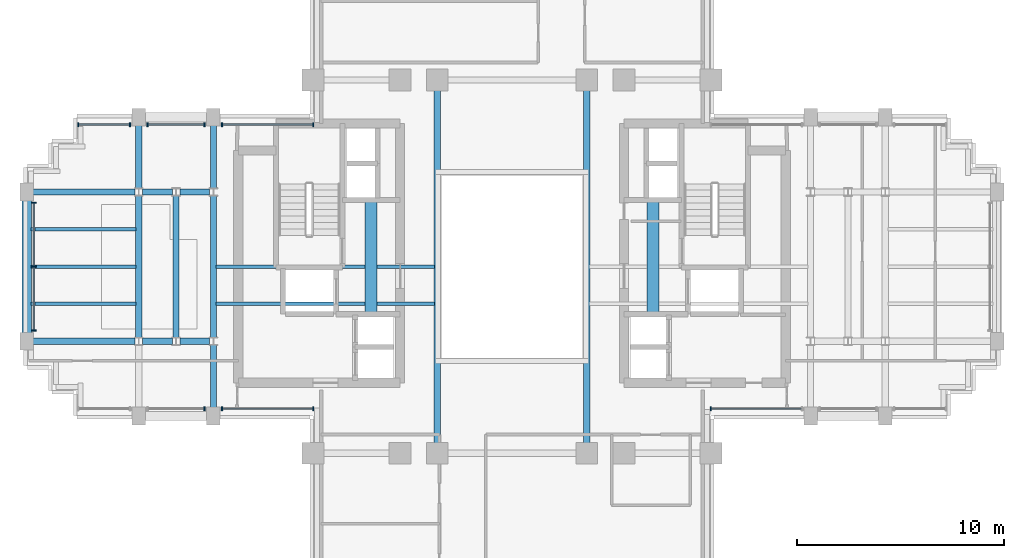
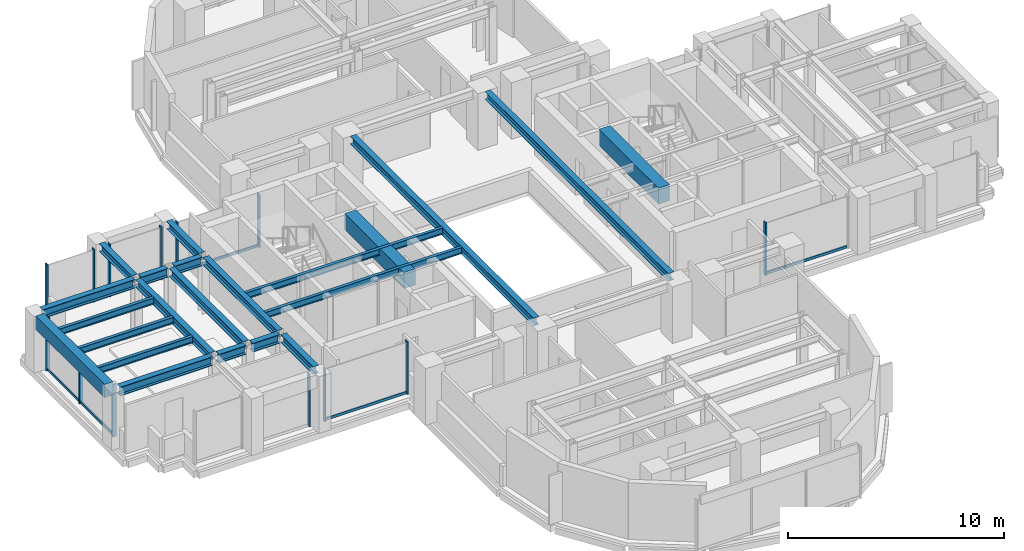
# One storey, part 4 of 13: 22 beams, 20 members, 7 elements without a shape of their own.
"""IFC4 building model written with IfcOpenShell, lengths in metres."""

from ifc_helpers import new_model, si_unit, direction, frame, origin, origin_2d, place, context, subcontext, project, spatial, rectangle, i_section, extrude, source, transform, mapped, material, material_profile, profile_set, type_object, element, aggregate, save


model = new_model("IFC4")

# Units and contexts
model_context = context("Model", 3, precision=1e-05, world=origin(), true_north=direction((0.0, 1.0)))
body_context = subcontext(model_context, "Body", "Model", "MODEL_VIEW")
ifc_project = project(units=[si_unit("LENGTHUNIT", "METRE"), si_unit("AREAUNIT", "SQUARE_METRE"), si_unit("VOLUMEUNIT", "CUBIC_METRE"), si_unit("PLANEANGLEUNIT", "RADIAN"), si_unit("MASSUNIT", "GRAM", prefix="KILO")], contexts=[model_context])

# Site, building, storey
site_placement = place(None, origin())
site = spatial("IfcSite", under=ifc_project, at=site_placement, CompositionType="ELEMENT")
building_placement = place(site_placement, origin())
building = spatial("IfcBuilding", under=site, at=building_placement, Name="Keilestroom Media Tower", CompositionType="ELEMENT")
storey_placement = place(building_placement, frame((0.0, 0.0, 131.199951171875)))
storey = spatial("IfcBuildingStorey", under=building, at=storey_placement, Name="L35", CompositionType="ELEMENT", Elevation=131.199951171875)

# Beams
ifc_material_1 = material(Name="Concrete C70/85", Category="concrete")
ifc_material_profile_1 = material_profile(ifc_material_1, rectangle(XDim=0.60009765625, YDim=0.89990234375, at=origin_2d()), Name="RC 600x900")
ifc_profile_set_1 = profile_set([ifc_material_profile_1], Name="Concrete C70/85")
beam_type_1 = type_object("IfcBeamType", Name="Core-Coupling-Lintel-Beam-RC-600x900", PredefinedType="LINTEL", material=ifc_profile_set_1)
shared_shape_1 = source(origin(), body_context, "Body", "SweptSolid", [
    extrude(rectangle(XDim=0.60009765625, YDim=0.89990234375, at=origin_2d()), origin(), (0.0, 0.0, 1.0), 5.52001953125),
])
for number, where, z_axis, x_axis, name in (
    (1, (-6.800048828125, -2.300048828125, 2.75), (0.0, 1.0, 0.0), (-1.0, 0.0, 0.0), "L35 Beam CLB-1 CLB-L35-W"),
    (2, (6.800048828125, -2.300048828125, 2.75), (0.0, 1.0, 0.0), (-1.0, 0.0, 0.0), "L35 Beam CLB-1 CLB-L35-E"),
):
    element("IfcBeam", number, at=place(storey_placement, frame(where, z_axis=z_axis, x_axis=x_axis)), inside=storey, type_object=beam_type_1, Name=name, PredefinedType="LINTEL", context=body_context, shape_type="MappedRepresentation", body=[
        mapped(shared_shape_1, transform((0.0, 0.0, 0.0), x_axis=(1.0, 0.0, 0.0), y_axis=(0.0, 1.0, 0.0), z_axis=(0.0, 0.0, 1.0), scale=1.0)),
    ])
ifc_material_2 = material(Name="Steel S355", Category="steel")
ifc_material_profile_2 = material_profile(ifc_material_2, i_section(OverallWidth=0.169921875, OverallDepth=0.360107421875, WebThickness=0.008056640625, FlangeThickness=0.0126953125, at=origin_2d()), Name="IPE 360")
ifc_profile_set_2 = profile_set([ifc_material_profile_2], Name="Steel S355")
beam_type_2 = type_object("IfcBeamType", Name="Secondary-Floor-Joist-IPE-360", PredefinedType="JOIST", material=ifc_profile_set_2)
shared_shape_2 = source(origin(), body_context, "Body", "SweptSolid", [
    extrude(i_section(OverallWidth=0.169921875, OverallDepth=0.360107421875, WebThickness=0.008056640625, FlangeThickness=0.0126953125, at=origin_2d()), origin(), (0.0, 0.0, 1.0), 10.5400390625),
])
for number, where, z_axis, x_axis, name in (
    (3, (-14.27001953125, -1.800048828125, 3.02001953125), (1.0, 0.0, 0.0), (0.0, 1.0, 0.0), "L35 Beam BJ-5 JST-L35-072"),
    (4, (-14.27001953125, 0.0, 3.02001953125), (1.0, 0.0, 0.0), (0.0, 1.0, 0.0), "L35 Beam BJ-5 JST-L35-077"),
):
    element("IfcBeam", number, at=place(storey_placement, frame(where, z_axis=z_axis, x_axis=x_axis)), inside=storey, type_object=beam_type_2, Name=name, PredefinedType="JOIST", context=body_context, shape_type="MappedRepresentation", body=[
        mapped(shared_shape_2, transform((0.0, 0.0, 0.0), x_axis=(1.0, 0.0, 0.0), y_axis=(0.0, 1.0, 0.0), z_axis=(0.0, 0.0, 1.0), scale=1.0)),
    ])
ifc_material_profile_3 = material_profile(ifc_material_2, i_section(OverallWidth=0.300048828125, OverallDepth=0.5, WebThickness=0.012451171875, FlangeThickness=0.028076171875, at=origin_2d()), Name="HEB 500")
ifc_profile_set_3 = profile_set([ifc_material_profile_3], Name="Steel S355")
beam_type_3 = type_object("IfcBeamType", Name="Primary-Structural-Girder-HEB-500", PredefinedType="BEAM", material=ifc_profile_set_3)
shared_shape_3 = source(origin(), body_context, "Body", "SweptSolid", [
    extrude(i_section(OverallWidth=0.300048828125, OverallDepth=0.5, WebThickness=0.012451171875, FlangeThickness=0.028076171875, at=origin_2d()), origin(), (0.0, 0.0, 1.0), 4.91455078125),
])
for number, where, z_axis, x_axis, name in (
    (5, (-23.094970703125, -3.60009765625, 2.949951171875), (1.0, 0.0, 0.0), (0.0, 1.0, 0.0), "L35 Beam BG-6 BM-L35-EW-014"),
    (6, (-23.094970703125, 3.60009765625, 2.949951171875), (1.0, 0.0, 0.0), (0.0, 1.0, 0.0), "L35 Beam BG-6 BM-L35-EW-020"),
):
    element("IfcBeam", number, at=place(storey_placement, frame(where, z_axis=z_axis, x_axis=x_axis)), inside=storey, type_object=beam_type_3, Name=name, PredefinedType="BEAM", context=body_context, shape_type="MappedRepresentation", body=[
        mapped(shared_shape_3, transform((0.0, 0.0, 0.0), x_axis=(1.0, 0.0, 0.0), y_axis=(0.0, 1.0, 0.0), z_axis=(0.0, 0.0, 1.0), scale=1.0)),
    ])
shared_shape_4 = source(origin(), body_context, "Body", "SweptSolid", [
    extrude(i_section(OverallWidth=0.300048828125, OverallDepth=0.5, WebThickness=0.012451171875, FlangeThickness=0.028076171875, at=origin_2d()), origin(), (0.0, 0.0, 1.0), 1.43896484375),
])
for number, where, z_axis, x_axis, name in (
    (7, (-17.819580078125, -3.60009765625, 2.949951171875), (1.0, 0.0, 0.0), (0.0, 1.0, 0.0), "L35 Beam BG-6 BM-L35-EW-015"),
    (8, (-16.01953125, -3.60009765625, 2.949951171875), (1.0, 0.0, 0.0), (0.0, 1.0, 0.0), "L35 Beam BG-6 BM-L35-EW-016"),
    (9, (-17.819580078125, 3.60009765625, 2.949951171875), (1.0, 0.0, 0.0), (0.0, 1.0, 0.0), "L35 Beam BG-6 BM-L35-EW-021"),
    (10, (-16.01953125, 3.60009765625, 2.949951171875), (1.0, 0.0, 0.0), (0.0, 1.0, 0.0), "L35 Beam BG-6 BM-L35-EW-022"),
):
    element("IfcBeam", number, at=place(storey_placement, frame(where, z_axis=z_axis, x_axis=x_axis)), inside=storey, type_object=beam_type_3, Name=name, PredefinedType="BEAM", context=body_context, shape_type="MappedRepresentation", body=[
        mapped(shared_shape_4, transform((0.0, 0.0, 0.0), x_axis=(1.0, 0.0, 0.0), y_axis=(0.0, 1.0, 0.0), z_axis=(0.0, 0.0, 1.0), scale=1.0)),
    ])
ifc_material_3 = material(Name="Precast concrete C40/50", Category="concrete")
ifc_material_profile_4 = material_profile(ifc_material_3, rectangle(XDim=0.449951171875, YDim=0.75, at=origin_2d()), Name="PC 450x750")
ifc_profile_set_4 = profile_set([ifc_material_profile_4], Name="Precast concrete C40/50")
beam_type_4 = type_object("IfcBeamType", Name="Perimeter-Spandrel-Beam-PC-450x750", PredefinedType="SPANDREL", material=ifc_profile_set_4)
shared_shape_5 = source(origin(), body_context, "Body", "SweptSolid", [
    extrude(rectangle(XDim=0.449951171875, YDim=0.75, at=origin_2d()), origin(), (0.0, 0.0, 1.0), 6.39013671875),
])
beam_placement = place(storey_placement, frame((-23.39990234375, -3.195068359375, 2.824951171875), z_axis=(0.0, 1.0, 0.0), x_axis=(-1.0, 0.0, 0.0)))
element("IfcBeam", 11, at=beam_placement, inside=storey, type_object=beam_type_4, Name="L35 Beam SPB-1 BM-L35-NS-039", PredefinedType="SPANDREL", context=body_context, shape_type="MappedRepresentation", body=[
    mapped(shared_shape_5, transform((0.0, 0.0, 0.0), x_axis=(1.0, 0.0, 0.0), y_axis=(0.0, 1.0, 0.0), z_axis=(0.0, 0.0, 1.0), scale=1.0)),
])
shared_shape_6 = source(origin(), body_context, "Body", "SweptSolid", [
    extrude(i_section(OverallWidth=0.169921875, OverallDepth=0.360107421875, WebThickness=0.008056640625, FlangeThickness=0.0126953125, at=origin_2d()), origin(), (0.0, 0.0, 1.0), 5.065185546875),
])
for number, where, z_axis, x_axis, name in (
    (12, (-23.195068359375, -1.800048828125, 3.02001953125), (1.0, 0.0, 0.0), (0.0, 1.0, 0.0), "L35 Beam BJ-5 JST-L35-071"),
    (13, (-23.195068359375, 0.0, 3.02001953125), (1.0, 0.0, 0.0), (0.0, 1.0, 0.0), "L35 Beam BJ-5 JST-L35-076"),
    (14, (-23.195068359375, 1.800048828125, 3.02001953125), (1.0, 0.0, 0.0), (0.0, 1.0, 0.0), "L35 Beam BJ-5 JST-L35-081"),
):
    element("IfcBeam", number, at=place(storey_placement, frame(where, z_axis=z_axis, x_axis=x_axis)), inside=storey, type_object=beam_type_2, Name=name, PredefinedType="JOIST", context=body_context, shape_type="MappedRepresentation", body=[
        mapped(shared_shape_6, transform((0.0, 0.0, 0.0), x_axis=(1.0, 0.0, 0.0), y_axis=(0.0, 1.0, 0.0), z_axis=(0.0, 0.0, 1.0), scale=1.0)),
    ])
ifc_material_profile_5 = material_profile(ifc_material_2, i_section(OverallWidth=0.300048828125, OverallDepth=0.43994140625, WebThickness=0.011474609375, FlangeThickness=0.02099609375, at=origin_2d()), Name="HEA 450")
ifc_profile_set_5 = profile_set([ifc_material_profile_5], Name="Steel S355")
beam_type_5 = type_object("IfcBeamType", Name="Primary-Structural-Girder-HEA-450", PredefinedType="BEAM", material=ifc_profile_set_5)
shared_shape_7 = source(origin(), body_context, "Body", "SweptSolid", [
    extrude(i_section(OverallWidth=0.300048828125, OverallDepth=0.43994140625, WebThickness=0.011474609375, FlangeThickness=0.02099609375, at=origin_2d()), origin(), (0.0, 0.0, 1.0), 3.015380859375),
])
for number, where, z_axis, x_axis, name in (
    (15, (-18.0, 3.779541015625, 2.97998046875), (0.0, 1.0, 0.0), (-1.0, 0.0, 0.0), "L35 Beam BG-11 BM-L35-NS-042"),
    (16, (-14.39990234375, -6.794921875, 2.97998046875), (0.0, 1.0, 0.0), (-1.0, 0.0, 0.0), "L35 Beam BG-11 BM-L35-NS-044"),
    (17, (-14.39990234375, 3.779541015625, 2.97998046875), (0.0, 1.0, 0.0), (-1.0, 0.0, 0.0), "L35 Beam BG-11 BM-L35-NS-046"),
):
    element("IfcBeam", number, at=place(storey_placement, frame(where, z_axis=z_axis, x_axis=x_axis)), inside=storey, type_object=beam_type_5, Name=name, PredefinedType="BEAM", context=body_context, shape_type="MappedRepresentation", body=[
        mapped(shared_shape_7, transform((0.0, 0.0, 0.0), x_axis=(1.0, 0.0, 0.0), y_axis=(0.0, 1.0, 0.0), z_axis=(0.0, 0.0, 1.0), scale=1.0)),
    ])
shared_shape_8 = source(origin(), body_context, "Body", "SweptSolid", [
    extrude(i_section(OverallWidth=0.300048828125, OverallDepth=0.43994140625, WebThickness=0.011474609375, FlangeThickness=0.02099609375, at=origin_2d()), origin(), (0.0, 0.0, 1.0), 6.8408203125),
])
for number, where, z_axis, x_axis, name in (
    (18, (-18.0, -3.42041015625, 2.97998046875), (0.0, 1.0, 0.0), (-1.0, 0.0, 0.0), "L35 Beam BG-11 BM-L35-NS-041"),
    (19, (-16.199951171875, -3.42041015625, 2.97998046875), (0.0, 1.0, 0.0), (-1.0, 0.0, 0.0), "L35 Beam BG-11 BM-L35-NS-043"),
    (20, (-14.39990234375, -3.42041015625, 2.97998046875), (0.0, 1.0, 0.0), (-1.0, 0.0, 0.0), "L35 Beam BG-11 BM-L35-NS-045"),
):
    element("IfcBeam", number, at=place(storey_placement, frame(where, z_axis=z_axis, x_axis=x_axis)), inside=storey, type_object=beam_type_5, Name=name, PredefinedType="BEAM", context=body_context, shape_type="MappedRepresentation", body=[
        mapped(shared_shape_8, transform((0.0, 0.0, 0.0), x_axis=(1.0, 0.0, 0.0), y_axis=(0.0, 1.0, 0.0), z_axis=(0.0, 0.0, 1.0), scale=1.0)),
    ])
shared_shape_9 = source(origin(), body_context, "Body", "SweptSolid", [
    extrude(i_section(OverallWidth=0.300048828125, OverallDepth=0.43994140625, WebThickness=0.011474609375, FlangeThickness=0.02099609375, at=origin_2d()), origin(), (0.0, 0.0, 1.0), 16.990234375),
])
for number, where, z_axis, x_axis, name in (
    (21, (-3.60009765625, -8.4951171875, 2.97998046875), (0.0, 1.0, 0.0), (-1.0, 0.0, 0.0), "L35 Beam BG-11 BM-L35-NS-051"),
    (22, (3.60009765625, -8.4951171875, 2.97998046875), (0.0, 1.0, 0.0), (-1.0, 0.0, 0.0), "L35 Beam BG-11 BM-L35-NS-056"),
):
    element("IfcBeam", number, at=place(storey_placement, frame(where, z_axis=z_axis, x_axis=x_axis)), inside=storey, type_object=beam_type_5, Name=name, PredefinedType="BEAM", context=body_context, shape_type="MappedRepresentation", body=[
        mapped(shared_shape_9, transform((0.0, 0.0, 0.0), x_axis=(1.0, 0.0, 0.0), y_axis=(0.0, 1.0, 0.0), z_axis=(0.0, 0.0, 1.0), scale=1.0)),
    ])

# Curtain wall, members
ifc_material_4 = material(Name="Anodised Aluminium Alloy", Category="aluminium")
curtain_wall_type = type_object("IfcCurtainWallType", Name="Unitised-Curtain-Wall-CW-2", PredefinedType="NOTDEFINED", material=ifc_material_4)
curtain_wall_1_placement = place(storey_placement, origin())
curtain_wall_1 = element("IfcCurtainWall", 23, at=curtain_wall_1_placement, inside=storey, type_object=curtain_wall_type, Name="L35 Curtain Wall CW-2 CW-L35-W-1", PredefinedType="NOTDEFINED")
ifc_material_profile_6 = material_profile(ifc_material_4, rectangle(XDim=0.070068359375, YDim=0.199951171875, at=origin_2d()), Name="ALU MULLION 70x200")
ifc_profile_set_6 = profile_set([ifc_material_profile_6], Name="Anodised Aluminium Alloy")
member_type_1 = type_object("IfcMemberType", Name="Curtain-Wall-Mullion-CW-2", PredefinedType="MULLION", material=ifc_profile_set_6)
shared_shape_10 = source(origin(), body_context, "Body", "SweptSolid", [
    extrude(rectangle(XDim=0.070068359375, YDim=0.199951171875, at=origin_2d()), origin(), (0.0, 0.0, 1.0), 2.97998046875),
])
member_1_placement = place(storey_placement, frame((-23.050048828125, -3.080078125, 0.0), z_axis=(0.0, 0.0, 1.0), x_axis=(0.0, 1.0, 0.0)))
member_1 = element("IfcMember", 24, at=member_1_placement, type_object=member_type_1, Name="CW-2 Mullion 00", PredefinedType="MULLION", context=body_context, shape_type="MappedRepresentation", body=[
    mapped(shared_shape_10, transform((0.0, 0.0, 0.0), x_axis=(1.0, 0.0, 0.0), y_axis=(0.0, 1.0, 0.0), z_axis=(0.0, 0.0, 1.0), scale=1.0)),
])
member_2_placement = place(storey_placement, frame((-23.050048828125, 0.0, 0.0), z_axis=(0.0, 0.0, 1.0), x_axis=(0.0, 1.0, 0.0)))
member_2 = element("IfcMember", 25, at=member_2_placement, type_object=member_type_1, Name="CW-2 Mullion 01", PredefinedType="MULLION", context=body_context, shape_type="MappedRepresentation", body=[
    mapped(shared_shape_10, transform((0.0, 0.0, 0.0), x_axis=(1.0, 0.0, 0.0), y_axis=(0.0, 1.0, 0.0), z_axis=(0.0, 0.0, 1.0), scale=1.0)),
])
member_3_placement = place(storey_placement, frame((-23.050048828125, 3.080078125, 0.0), z_axis=(0.0, 0.0, 1.0), x_axis=(0.0, 1.0, 0.0)))
member_3 = element("IfcMember", 26, at=member_3_placement, type_object=member_type_1, Name="CW-2 Mullion 02", PredefinedType="MULLION", context=body_context, shape_type="MappedRepresentation", body=[
    mapped(shared_shape_10, transform((0.0, 0.0, 0.0), x_axis=(1.0, 0.0, 0.0), y_axis=(0.0, 1.0, 0.0), z_axis=(0.0, 0.0, 1.0), scale=1.0)),
])

curtain_wall_2_placement = place(storey_placement, origin())
curtain_wall_2 = element("IfcCurtainWall", 27, at=curtain_wall_2_placement, inside=storey, type_object=curtain_wall_type, Name="L35 Curtain Wall CW-2 CW-L35-NW-1", PredefinedType="NOTDEFINED")
member_4_placement = place(storey_placement, frame((-20.9150390625, 6.85009765625, 0.0), z_axis=(0.0, 0.0, 1.0), x_axis=(1.0, 0.0, 0.0)))
member_4 = element("IfcMember", 28, at=member_4_placement, type_object=member_type_1, Name="CW-2 Mullion 00", PredefinedType="MULLION", context=body_context, shape_type="MappedRepresentation", body=[
    mapped(shared_shape_10, transform((0.0, 0.0, 0.0), x_axis=(1.0, 0.0, 0.0), y_axis=(0.0, 1.0, 0.0), z_axis=(0.0, 0.0, 1.0), scale=1.0)),
])
member_5_placement = place(storey_placement, frame((-18.419921875, 6.85009765625, 0.0), z_axis=(0.0, 0.0, 1.0), x_axis=(1.0, 0.0, 0.0)))
member_5 = element("IfcMember", 29, at=member_5_placement, type_object=member_type_1, Name="CW-2 Mullion 01", PredefinedType="MULLION", context=body_context, shape_type="MappedRepresentation", body=[
    mapped(shared_shape_10, transform((0.0, 0.0, 0.0), x_axis=(1.0, 0.0, 0.0), y_axis=(0.0, 1.0, 0.0), z_axis=(0.0, 0.0, 1.0), scale=1.0)),
])

curtain_wall_3_placement = place(storey_placement, origin())
curtain_wall_3 = element("IfcCurtainWall", 30, at=curtain_wall_3_placement, inside=storey, type_object=curtain_wall_type, Name="L35 Curtain Wall CW-2 CW-L35-NW-2", PredefinedType="NOTDEFINED")
member_6_placement = place(storey_placement, frame((-17.580078125, 6.85009765625, 0.0), z_axis=(0.0, 0.0, 1.0), x_axis=(1.0, 0.0, 0.0)))
member_6 = element("IfcMember", 31, at=member_6_placement, type_object=member_type_1, Name="CW-2 Mullion 00", PredefinedType="MULLION", context=body_context, shape_type="MappedRepresentation", body=[
    mapped(shared_shape_10, transform((0.0, 0.0, 0.0), x_axis=(1.0, 0.0, 0.0), y_axis=(0.0, 1.0, 0.0), z_axis=(0.0, 0.0, 1.0), scale=1.0)),
])
member_7_placement = place(storey_placement, frame((-14.820068359375, 6.85009765625, 0.0), z_axis=(0.0, 0.0, 1.0), x_axis=(1.0, 0.0, 0.0)))
member_7 = element("IfcMember", 32, at=member_7_placement, type_object=member_type_1, Name="CW-2 Mullion 01", PredefinedType="MULLION", context=body_context, shape_type="MappedRepresentation", body=[
    mapped(shared_shape_10, transform((0.0, 0.0, 0.0), x_axis=(1.0, 0.0, 0.0), y_axis=(0.0, 1.0, 0.0), z_axis=(0.0, 0.0, 1.0), scale=1.0)),
])

curtain_wall_4_placement = place(storey_placement, origin())
curtain_wall_4 = element("IfcCurtainWall", 33, at=curtain_wall_4_placement, inside=storey, type_object=curtain_wall_type, Name="L35 Curtain Wall CW-2 CW-L35-NW-3", PredefinedType="NOTDEFINED")
member_8_placement = place(storey_placement, frame((-13.97998046875, 6.85009765625, 0.0), z_axis=(0.0, 0.0, 1.0), x_axis=(1.0, 0.0, 0.0)))
member_8 = element("IfcMember", 34, at=member_8_placement, type_object=member_type_1, Name="CW-2 Mullion 00", PredefinedType="MULLION", context=body_context, shape_type="MappedRepresentation", body=[
    mapped(shared_shape_10, transform((0.0, 0.0, 0.0), x_axis=(1.0, 0.0, 0.0), y_axis=(0.0, 1.0, 0.0), z_axis=(0.0, 0.0, 1.0), scale=1.0)),
])
member_9_placement = place(storey_placement, frame((-9.5849609375, 6.85009765625, 0.0), z_axis=(0.0, 0.0, 1.0), x_axis=(1.0, 0.0, 0.0)))
member_9 = element("IfcMember", 35, at=member_9_placement, type_object=member_type_1, Name="CW-2 Mullion 01", PredefinedType="MULLION", context=body_context, shape_type="MappedRepresentation", body=[
    mapped(shared_shape_10, transform((0.0, 0.0, 0.0), x_axis=(1.0, 0.0, 0.0), y_axis=(0.0, 1.0, 0.0), z_axis=(0.0, 0.0, 1.0), scale=1.0)),
])

# Curtain wall, member
curtain_wall_5_placement = place(storey_placement, origin())
curtain_wall_5 = element("IfcCurtainWall", 36, at=curtain_wall_5_placement, inside=storey, type_object=curtain_wall_type, Name="L35 Curtain Wall CW-2 CW-L35-SW-2", PredefinedType="NOTDEFINED")
member_10_placement = place(storey_placement, frame((-14.820068359375, -6.85009765625, 0.0), z_axis=(0.0, 0.0, 1.0), x_axis=(1.0, 0.0, 0.0)))
member_10 = element("IfcMember", 37, at=member_10_placement, type_object=member_type_1, Name="CW-2 Mullion 01", PredefinedType="MULLION", context=body_context, shape_type="MappedRepresentation", body=[
    mapped(shared_shape_10, transform((0.0, 0.0, 0.0), x_axis=(1.0, 0.0, 0.0), y_axis=(0.0, 1.0, 0.0), z_axis=(0.0, 0.0, 1.0), scale=1.0)),
])
aggregate(curtain_wall_5, [member_10])

# Curtain wall, members
curtain_wall_6_placement = place(storey_placement, origin())
curtain_wall_6 = element("IfcCurtainWall", 38, at=curtain_wall_6_placement, inside=storey, type_object=curtain_wall_type, Name="L35 Curtain Wall CW-2 CW-L35-SW-3", PredefinedType="NOTDEFINED")
member_11_placement = place(storey_placement, frame((-13.97998046875, -6.85009765625, 0.0), z_axis=(0.0, 0.0, 1.0), x_axis=(1.0, 0.0, 0.0)))
member_11 = element("IfcMember", 39, at=member_11_placement, type_object=member_type_1, Name="CW-2 Mullion 00", PredefinedType="MULLION", context=body_context, shape_type="MappedRepresentation", body=[
    mapped(shared_shape_10, transform((0.0, 0.0, 0.0), x_axis=(1.0, 0.0, 0.0), y_axis=(0.0, 1.0, 0.0), z_axis=(0.0, 0.0, 1.0), scale=1.0)),
])
member_12_placement = place(storey_placement, frame((-9.5849609375, -6.85009765625, 0.0), z_axis=(0.0, 0.0, 1.0), x_axis=(1.0, 0.0, 0.0)))
member_12 = element("IfcMember", 40, at=member_12_placement, type_object=member_type_1, Name="CW-2 Mullion 01", PredefinedType="MULLION", context=body_context, shape_type="MappedRepresentation", body=[
    mapped(shared_shape_10, transform((0.0, 0.0, 0.0), x_axis=(1.0, 0.0, 0.0), y_axis=(0.0, 1.0, 0.0), z_axis=(0.0, 0.0, 1.0), scale=1.0)),
])

# Curtain wall, member
curtain_wall_7_placement = place(storey_placement, origin())
curtain_wall_7 = element("IfcCurtainWall", 41, at=curtain_wall_7_placement, inside=storey, type_object=curtain_wall_type, Name="L35 Curtain Wall CW-2 CW-L35-SE-1", PredefinedType="NOTDEFINED")
member_13_placement = place(storey_placement, frame((9.5849609375, -6.85009765625, 0.0), z_axis=(0.0, 0.0, 1.0), x_axis=(1.0, 0.0, 0.0)))
member_13 = element("IfcMember", 42, at=member_13_placement, type_object=member_type_1, Name="CW-2 Mullion 00", PredefinedType="MULLION", context=body_context, shape_type="MappedRepresentation", body=[
    mapped(shared_shape_10, transform((0.0, 0.0, 0.0), x_axis=(1.0, 0.0, 0.0), y_axis=(0.0, 1.0, 0.0), z_axis=(0.0, 0.0, 1.0), scale=1.0)),
])

# Member
ifc_material_profile_7 = material_profile(ifc_material_4, rectangle(XDim=0.06494140625, YDim=0.14990234375, at=origin_2d()), Name="ALU TRANSOM 65x150")
ifc_profile_set_7 = profile_set([ifc_material_profile_7], Name="Anodised Aluminium Alloy")
member_type_2 = type_object("IfcMemberType", Name="Curtain-Wall-Transom-CW-2", PredefinedType="USERDEFINED", material=ifc_profile_set_7)
shared_shape_11 = source(origin(), body_context, "Body", "SweptSolid", [
    extrude(rectangle(XDim=0.06494140625, YDim=0.14990234375, at=origin_2d()), origin(), (0.0, 0.0, 1.0), 2.42919921875),
])
member_14_placement = place(storey_placement, frame((-20.882080078125, 6.85009765625, 0.074951171875), z_axis=(1.0, 0.0, 0.0), x_axis=(0.0, 1.0, 0.0)))
member_14 = element("IfcMember", 43, at=member_14_placement, type_object=member_type_2, Name="CW-2 Transom 00.1", ObjectType="TRANSOM", PredefinedType="USERDEFINED", context=body_context, shape_type="MappedRepresentation", body=[
    mapped(shared_shape_11, transform((0.0, 0.0, 0.0), x_axis=(1.0, 0.0, 0.0), y_axis=(0.0, 1.0, 0.0), z_axis=(0.0, 0.0, 1.0), scale=1.0)),
])

aggregate(curtain_wall_2, [member_4, member_5, member_14])

shared_shape_12 = source(origin(), body_context, "Body", "SweptSolid", [
    extrude(rectangle(XDim=0.06494140625, YDim=0.14990234375, at=origin_2d()), origin(), (0.0, 0.0, 1.0), 2.694091796875),
])
member_15_placement = place(storey_placement, frame((-17.547119140625, 6.85009765625, 0.074951171875), z_axis=(1.0, 0.0, 0.0), x_axis=(0.0, 1.0, 0.0)))
member_15 = element("IfcMember", 44, at=member_15_placement, type_object=member_type_2, Name="CW-2 Transom 00.1", ObjectType="TRANSOM", PredefinedType="USERDEFINED", context=body_context, shape_type="MappedRepresentation", body=[
    mapped(shared_shape_12, transform((0.0, 0.0, 0.0), x_axis=(1.0, 0.0, 0.0), y_axis=(0.0, 1.0, 0.0), z_axis=(0.0, 0.0, 1.0), scale=1.0)),
])

aggregate(curtain_wall_3, [member_6, member_7, member_15])

shared_shape_13 = source(origin(), body_context, "Body", "SweptSolid", [
    extrude(rectangle(XDim=0.06494140625, YDim=0.14990234375, at=origin_2d()), origin(), (0.0, 0.0, 1.0), 4.3291015625),
])
member_16_placement = place(storey_placement, frame((-13.947021484375, 6.85009765625, 0.074951171875), z_axis=(1.0, 0.0, 0.0), x_axis=(0.0, 1.0, 0.0)))
member_16 = element("IfcMember", 45, at=member_16_placement, type_object=member_type_2, Name="CW-2 Transom 00.1", ObjectType="TRANSOM", PredefinedType="USERDEFINED", context=body_context, shape_type="MappedRepresentation", body=[
    mapped(shared_shape_13, transform((0.0, 0.0, 0.0), x_axis=(1.0, 0.0, 0.0), y_axis=(0.0, 1.0, 0.0), z_axis=(0.0, 0.0, 1.0), scale=1.0)),
])

aggregate(curtain_wall_4, [member_8, member_9, member_16])

member_17_placement = place(storey_placement, frame((-13.947021484375, -6.85009765625, 0.074951171875), z_axis=(1.0, 0.0, 0.0), x_axis=(0.0, 1.0, 0.0)))
member_17 = element("IfcMember", 46, at=member_17_placement, type_object=member_type_2, Name="CW-2 Transom 00.1", ObjectType="TRANSOM", PredefinedType="USERDEFINED", context=body_context, shape_type="MappedRepresentation", body=[
    mapped(shared_shape_13, transform((0.0, 0.0, 0.0), x_axis=(1.0, 0.0, 0.0), y_axis=(0.0, 1.0, 0.0), z_axis=(0.0, 0.0, 1.0), scale=1.0)),
])

aggregate(curtain_wall_6, [member_11, member_12, member_17])

member_18_placement = place(storey_placement, frame((9.617919921875, -6.85009765625, 0.074951171875), z_axis=(1.0, 0.0, 0.0), x_axis=(0.0, 1.0, 0.0)))
member_18 = element("IfcMember", 47, at=member_18_placement, type_object=member_type_2, Name="CW-2 Transom 00.1", ObjectType="TRANSOM", PredefinedType="USERDEFINED", context=body_context, shape_type="MappedRepresentation", body=[
    mapped(shared_shape_13, transform((0.0, 0.0, 0.0), x_axis=(1.0, 0.0, 0.0), y_axis=(0.0, 1.0, 0.0), z_axis=(0.0, 0.0, 1.0), scale=1.0)),
])

aggregate(curtain_wall_7, [member_13, member_18])

shared_shape_14 = source(origin(), body_context, "Body", "SweptSolid", [
    extrude(rectangle(XDim=0.06494140625, YDim=0.14990234375, at=origin_2d()), origin(), (0.0, 0.0, 1.0), 3.01416015625),
])
member_19_placement = place(storey_placement, frame((-23.050048828125, -3.047119140625, 0.074951171875), z_axis=(0.0, 1.0, 0.0), x_axis=(-1.0, 0.0, 0.0)))
member_19 = element("IfcMember", 48, at=member_19_placement, type_object=member_type_2, Name="CW-2 Transom 00.1", ObjectType="TRANSOM", PredefinedType="USERDEFINED", context=body_context, shape_type="MappedRepresentation", body=[
    mapped(shared_shape_14, transform((0.0, 0.0, 0.0), x_axis=(1.0, 0.0, 0.0), y_axis=(0.0, 1.0, 0.0), z_axis=(0.0, 0.0, 1.0), scale=1.0)),
])

member_20_placement = place(storey_placement, frame((-23.050048828125, 0.032958984375, 0.074951171875), z_axis=(0.0, 1.0, 0.0), x_axis=(-1.0, 0.0, 0.0)))
member_20 = element("IfcMember", 49, at=member_20_placement, type_object=member_type_2, Name="CW-2 Transom 01.1", ObjectType="TRANSOM", PredefinedType="USERDEFINED", context=body_context, shape_type="MappedRepresentation", body=[
    mapped(shared_shape_14, transform((0.0, 0.0, 0.0), x_axis=(1.0, 0.0, 0.0), y_axis=(0.0, 1.0, 0.0), z_axis=(0.0, 0.0, 1.0), scale=1.0)),
])

aggregate(curtain_wall_1, [member_1, member_2, member_3, member_19, member_20])

save(model, "model.ifc")
